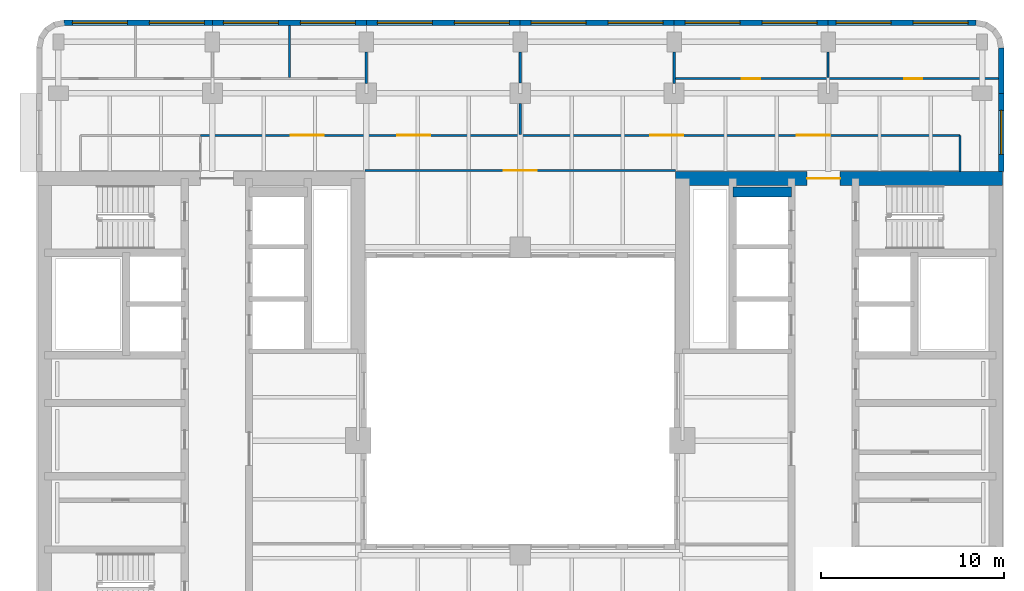
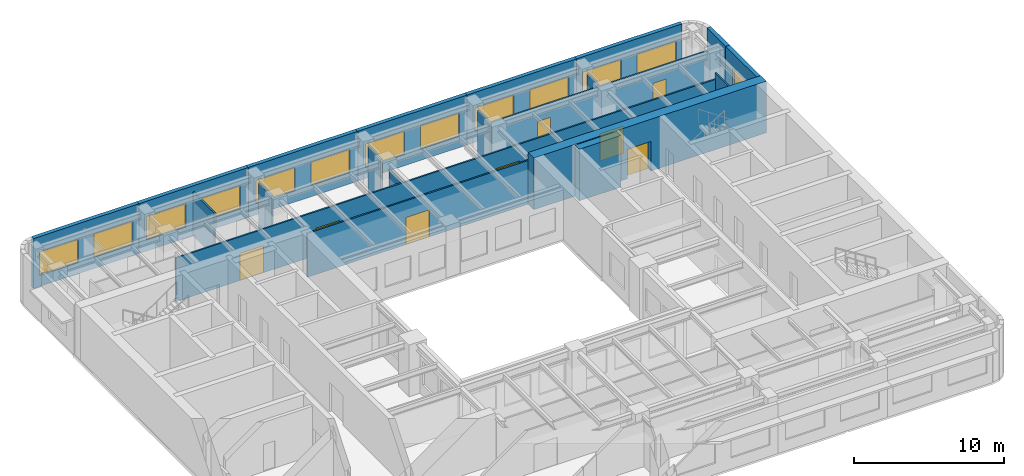
# One storey, part 7 of 11: 20 walls, 13 windows, 8 doors, 21 openings.
"""IFC4 building model written with IfcOpenShell, lengths in metres."""

from ifc_helpers import new_model, si_unit, direction, frame, frame_2d, origin, place, context, subcontext, project, spatial, rectangle, extrude, material, layer, layer_set, type_object, element, fill, save


model = new_model("IFC4")

# Units and contexts
model_context = context("Model", 3, precision=1e-05, world=origin(), true_north=direction((0.0, 1.0)))
body_context = subcontext(model_context, "Body", "Model", "MODEL_VIEW")
ifc_project = project(units=[si_unit("LENGTHUNIT", "METRE"), si_unit("AREAUNIT", "SQUARE_METRE"), si_unit("VOLUMEUNIT", "CUBIC_METRE"), si_unit("PLANEANGLEUNIT", "RADIAN"), si_unit("MASSUNIT", "GRAM", prefix="KILO")], contexts=[model_context])

# Site, building, storey
site_placement = place(None, origin())
site = spatial("IfcSite", under=ifc_project, at=site_placement, CompositionType="ELEMENT")
building_placement = place(site_placement, origin())
building = spatial("IfcBuilding", under=site, at=building_placement, Name="Claustro Exchange Tower", CompositionType="ELEMENT")
storey_placement = place(building_placement, frame((0.0, 0.0, 194.39990234375)))
storey = spatial("IfcBuildingStorey", under=building, at=storey_placement, Name="L44", CompositionType="ELEMENT", Elevation=194.39990234375)

# Walls
ifc_material_1 = material(Name="Laminated glass in aluminium frame", Category="aluminium")
ifc_layer_1 = layer(ifc_material_1, 0.1201171875)
ifc_layer_set_1 = layer_set([ifc_layer_1], Name="Laminated glass in aluminium frame")
wall_type_1 = type_object("IfcWallType", Name="P2 120 glazed partition", PredefinedType="PARTITIONING", material=ifc_layer_set_1)
wall_1_placement = place(storey_placement, frame((12.60009765625, 42.85791015625, 0.0), z_axis=(0.0, 0.0, 1.0), x_axis=(0.0, 1.0, 0.0)))
element("IfcWall", 1, at=wall_1_placement, inside=storey, type_object=wall_type_1, Name="Partition P2 L44", PredefinedType="PARTITIONING", context=body_context, shape_type="SweptSolid", body=[
    extrude(rectangle(XDim=2.843994140625, YDim=0.1201171875, at=frame_2d((1.421875, 0.0))), origin(), (0.0, 0.0, 1.0), 3.56005859375),
])
wall_2_placement = place(storey_placement, frame((16.800048828125, 42.548095703125, 0.0), z_axis=(0.0, 0.0, 1.0), x_axis=(0.0, 1.0, 0.0)))
element("IfcWall", 2, at=wall_2_placement, inside=storey, type_object=wall_type_1, Name="Partition P2 L44", PredefinedType="PARTITIONING", context=body_context, shape_type="SweptSolid", body=[
    extrude(rectangle(XDim=1.702880859375, YDim=0.1201171875, at=frame_2d((0.8515625, 0.0))), origin(), (0.0, 0.0, 1.0), 3.690185546875),
])

# Wall, openings, doors
wall_3_placement = place(storey_placement, frame((33.60009765625, 42.800048828125, 0.0), z_axis=(0.0, 0.0, 1.0), x_axis=(1.0, 0.0, 0.0)))
wall_3 = element("IfcWall", 3, at=wall_3_placement, inside=storey, type_object=wall_type_1, Name="Partition P2 L44", PredefinedType="PARTITIONING", context=body_context, shape_type="SweptSolid", body=[
    extrude(rectangle(XDim=17.701904296875, YDim=0.1201171875, at=frame_2d((8.85107421875, 0.0))), origin(), (0.0, 0.0, 1.0), 3.56005859375),
])
opening_1_placement = place(wall_3_placement, frame((3.699951171875, 0.0, 0.0)))
opening_1 = element("IfcOpeningElement", 4, at=opening_1_placement, cuts=wall_3, Name="Opening D7", PredefinedType="OPENING", context=body_context, shape_type="SweptSolid", body=[
    extrude(rectangle(XDim=1.0, YDim=2.39990234375, at=frame_2d((0.5, 1.199951171875))), frame((0.0, 0.070068359375, 0.0), z_axis=(0.0, -1.0, 0.0), x_axis=(1.0, 0.0, 0.0)), (0.0, 0.0, 1.0), 0.14013671875),
])
opening_2_placement = place(wall_3_placement, frame((12.550048828125, 0.0, 0.0)))
opening_2 = element("IfcOpeningElement", 5, at=opening_2_placement, cuts=wall_3, Name="Opening D7", PredefinedType="OPENING", context=body_context, shape_type="SweptSolid", body=[
    extrude(rectangle(XDim=1.0, YDim=2.39990234375, at=frame_2d((0.5, 1.199951171875))), frame((0.0, 0.070068359375, 0.0), z_axis=(0.0, -1.0, 0.0), x_axis=(1.0, 0.0, 0.0)), (0.0, 0.0, 1.0), 0.14013671875),
])
ifc_material_2 = material(Name="Glass door in aluminium frame", Category="aluminium")
door_type_1 = type_object("IfcDoorType", Name="D7 1000 x 2400 glazed door", OperationType="SINGLE_SWING_LEFT", PredefinedType="DOOR", material=ifc_material_2)
door_1_placement = place(opening_1_placement, origin())
door_1 = element("IfcDoor", 6, at=door_1_placement, inside=storey, type_object=door_type_1, Name="Door D7 L44", OperationType="SINGLE_SWING_RIGHT", OverallHeight=2.39990234375, OverallWidth=1.0, PredefinedType="DOOR", context=body_context, shape_type="SweptSolid", body=[
    extrude(rectangle(XDim=1.0, YDim=2.39990234375, at=frame_2d((0.5, 1.199951171875))), frame((0.0, 0.02490234375, 0.0), z_axis=(0.0, -1.0, 0.0), x_axis=(1.0, 0.0, 0.0)), (0.0, 0.0, 1.0), 0.050048828125),
])
fill(opening_1, door_1)
door_2_placement = place(opening_2_placement, origin())
door_2 = element("IfcDoor", 7, at=door_2_placement, inside=storey, type_object=door_type_1, Name="Door D7 L44", OperationType="SINGLE_SWING_LEFT", OverallHeight=2.39990234375, OverallWidth=1.0, PredefinedType="DOOR", context=body_context, shape_type="SweptSolid", body=[
    extrude(rectangle(XDim=1.0, YDim=2.39990234375, at=frame_2d((0.5, 1.199951171875))), frame((0.0, 0.02490234375, 0.0), z_axis=(0.0, -1.0, 0.0), x_axis=(1.0, 0.0, 0.0)), (0.0, 0.0, 1.0), 0.050048828125),
])
fill(opening_2, door_2)

# Walls
wall_4_placement = place(storey_placement, frame((33.60009765625, 42.548095703125, 0.0), z_axis=(0.0, 0.0, 1.0), x_axis=(0.0, 1.0, 0.0)))
element("IfcWall", 8, at=wall_4_placement, inside=storey, type_object=wall_type_1, Name="Partition P2 L44", PredefinedType="PARTITIONING", context=body_context, shape_type="SweptSolid", body=[
    extrude(rectangle(XDim=1.702880859375, YDim=0.1201171875, at=frame_2d((0.8515625, 0.0))), origin(), (0.0, 0.0, 1.0), 3.690185546875),
])
wall_5_placement = place(storey_placement, frame((42.0, 42.85791015625, 0.0), z_axis=(0.0, 0.0, 1.0), x_axis=(0.0, 1.0, 0.0)))
element("IfcWall", 9, at=wall_5_placement, inside=storey, type_object=wall_type_1, Name="Partition P2 L44", PredefinedType="PARTITIONING", context=body_context, shape_type="SweptSolid", body=[
    extrude(rectangle(XDim=1.39306640625, YDim=0.1201171875, at=frame_2d((0.696533203125, 0.0))), origin(), (0.0, 0.0, 1.0), 3.690185546875),
])
wall_6_placement = place(storey_placement, frame((25.199951171875, 39.758056640625, 0.0), z_axis=(0.0, 0.0, 1.0), x_axis=(0.0, 1.0, 0.0)))
element("IfcWall", 10, at=wall_6_placement, inside=storey, type_object=wall_type_1, Name="Partition P2 L44", PredefinedType="PARTITIONING", context=body_context, shape_type="SweptSolid", body=[
    extrude(rectangle(XDim=1.69287109375, YDim=0.1201171875, at=frame_2d((0.846435546875, 0.0))), origin(), (0.0, 0.0, 1.0), 3.550048828125),
])
wall_7_placement = place(storey_placement, frame((25.199951171875, 42.549072265625, 0.0), z_axis=(0.0, 0.0, 1.0), x_axis=(0.0, 1.0, 0.0)))
element("IfcWall", 11, at=wall_7_placement, inside=storey, type_object=wall_type_1, Name="Partition P2 L44", PredefinedType="PARTITIONING", context=body_context, shape_type="SweptSolid", body=[
    extrude(rectangle(XDim=1.701904296875, YDim=0.1201171875, at=frame_2d((0.85107421875, 0.0))), origin(), (0.0, 0.0, 1.0), 3.690185546875),
])

# Wall, openings, doors
wall_8_placement = place(storey_placement, frame((7.748046875, 39.699951171875, 0.0), z_axis=(0.0, 0.0, 1.0), x_axis=(1.0, 0.0, 0.0)))
wall_8 = element("IfcWall", 12, at=wall_8_placement, inside=storey, type_object=wall_type_1, Name="Partition P2 L44", PredefinedType="PARTITIONING", context=body_context, shape_type="SweptSolid", body=[
    extrude(rectangle(XDim=41.451904296875, YDim=0.1201171875, at=frame_2d((20.72607421875, 0.0))), origin(), (0.0, 0.0, 1.0), 3.550048828125),
])
opening_3_placement = place(wall_8_placement, frame((4.918701171875, 0.0, 0.0)))
opening_3 = element("IfcOpeningElement", 13, at=opening_3_placement, cuts=wall_8, Name="Opening D2", PredefinedType="OPENING", context=body_context, shape_type="SweptSolid", body=[
    extrude(rectangle(XDim=1.800048828125, YDim=2.199951171875, at=frame_2d((0.89990234375, 1.10009765625))), frame((0.0, 0.070068359375, 0.0), z_axis=(0.0, -1.0, 0.0), x_axis=(1.0, 0.0, 0.0)), (0.0, 0.0, 1.0), 0.14013671875),
])
opening_4_placement = place(wall_8_placement, frame((10.7353515625, 0.0, 0.0)))
opening_4 = element("IfcOpeningElement", 14, at=opening_4_placement, cuts=wall_8, Name="Opening D2", PredefinedType="OPENING", context=body_context, shape_type="SweptSolid", body=[
    extrude(rectangle(XDim=1.800048828125, YDim=2.199951171875, at=frame_2d((0.89990234375, 1.10009765625))), frame((0.0, 0.070068359375, 0.0), z_axis=(0.0, -1.0, 0.0), x_axis=(1.0, 0.0, 0.0)), (0.0, 0.0, 1.0), 0.14013671875),
])
opening_5_placement = place(wall_8_placement, frame((24.552001953125, 0.0, 0.0)))
opening_5 = element("IfcOpeningElement", 15, at=opening_5_placement, cuts=wall_8, Name="Opening D2", PredefinedType="OPENING", context=body_context, shape_type="SweptSolid", body=[
    extrude(rectangle(XDim=1.800048828125, YDim=2.199951171875, at=frame_2d((0.89990234375, 1.10009765625))), frame((0.0, 0.070068359375, 0.0), z_axis=(0.0, -1.0, 0.0), x_axis=(1.0, 0.0, 0.0)), (0.0, 0.0, 1.0), 0.14013671875),
])
opening_6_placement = place(wall_8_placement, frame((32.552001953125, 0.0, 0.0)))
opening_6 = element("IfcOpeningElement", 16, at=opening_6_placement, cuts=wall_8, Name="Opening D2", PredefinedType="OPENING", context=body_context, shape_type="SweptSolid", body=[
    extrude(rectangle(XDim=1.800048828125, YDim=2.199951171875, at=frame_2d((0.89990234375, 1.10009765625))), frame((0.0, 0.070068359375, 0.0), z_axis=(0.0, -1.0, 0.0), x_axis=(1.0, 0.0, 0.0)), (0.0, 0.0, 1.0), 0.14013671875),
])
ifc_material_3 = material(Name="Timber door, oak veneer", Category="wood")
door_type_2 = type_object("IfcDoorType", Name="D2 1800 x 2200 double door", OperationType="DOUBLE_DOOR_SINGLE_SWING", PredefinedType="DOOR", material=ifc_material_3)
door_3_placement = place(opening_3_placement, origin())
door_3 = element("IfcDoor", 17, at=door_3_placement, inside=storey, type_object=door_type_2, Name="Double door D2 L44", OperationType="DOUBLE_DOOR_SINGLE_SWING", OverallHeight=2.199951171875, OverallWidth=1.800048828125, PredefinedType="DOOR", context=body_context, shape_type="SweptSolid", body=[
    extrude(rectangle(XDim=1.800048828125, YDim=2.199951171875, at=frame_2d((0.89990234375, 1.10009765625))), frame((0.0, 0.02490234375, 0.0), z_axis=(0.0, -1.0, 0.0), x_axis=(1.0, 0.0, 0.0)), (0.0, 0.0, 1.0), 0.050048828125),
])
fill(opening_3, door_3)
door_4_placement = place(opening_4_placement, origin())
door_4 = element("IfcDoor", 18, at=door_4_placement, inside=storey, type_object=door_type_2, Name="Double door D2 L44", OperationType="DOUBLE_DOOR_SINGLE_SWING", OverallHeight=2.199951171875, OverallWidth=1.800048828125, PredefinedType="DOOR", context=body_context, shape_type="SweptSolid", body=[
    extrude(rectangle(XDim=1.800048828125, YDim=2.199951171875, at=frame_2d((0.89990234375, 1.10009765625))), frame((0.0, 0.02490234375, 0.0), z_axis=(0.0, -1.0, 0.0), x_axis=(1.0, 0.0, 0.0)), (0.0, 0.0, 1.0), 0.050048828125),
])
fill(opening_4, door_4)
door_5_placement = place(opening_5_placement, origin())
door_5 = element("IfcDoor", 19, at=door_5_placement, inside=storey, type_object=door_type_2, Name="Double door D2 L44", OperationType="DOUBLE_DOOR_SINGLE_SWING", OverallHeight=2.199951171875, OverallWidth=1.800048828125, PredefinedType="DOOR", context=body_context, shape_type="SweptSolid", body=[
    extrude(rectangle(XDim=1.800048828125, YDim=2.199951171875, at=frame_2d((0.89990234375, 1.10009765625))), frame((0.0, 0.02490234375, 0.0), z_axis=(0.0, -1.0, 0.0), x_axis=(1.0, 0.0, 0.0)), (0.0, 0.0, 1.0), 0.050048828125),
])
fill(opening_5, door_5)
door_6_placement = place(opening_6_placement, origin())
door_6 = element("IfcDoor", 20, at=door_6_placement, inside=storey, type_object=door_type_2, Name="Double door D2 L44", OperationType="DOUBLE_DOOR_SINGLE_SWING", OverallHeight=2.199951171875, OverallWidth=1.800048828125, PredefinedType="DOOR", context=body_context, shape_type="SweptSolid", body=[
    extrude(rectangle(XDim=1.800048828125, YDim=2.199951171875, at=frame_2d((0.89990234375, 1.10009765625))), frame((0.0, 0.02490234375, 0.0), z_axis=(0.0, -1.0, 0.0), x_axis=(1.0, 0.0, 0.0)), (0.0, 0.0, 1.0), 0.050048828125),
])
fill(opening_6, door_6)

# Wall
wall_9_placement = place(storey_placement, frame((49.199951171875, 37.72412109375, 0.0), z_axis=(0.0, 0.0, 1.0), x_axis=(0.0, 1.0, 0.0)))
element("IfcWall", 21, at=wall_9_placement, inside=storey, type_object=wall_type_1, Name="Partition P2 L44", PredefinedType="PARTITIONING", context=body_context, shape_type="SweptSolid", body=[
    extrude(rectangle(XDim=1.975830078125, YDim=0.1201171875, at=frame_2d((0.98779296875, 0.0))), origin(), (0.0, 0.0, 1.0), 4.050048828125),
])

# Wall, opening, door
wall_10_placement = place(storey_placement, frame((16.72509765625, 37.784912109375, 0.0), z_axis=(0.0, 0.0, 1.0), x_axis=(1.0, 0.0, 0.0)))
wall_10 = element("IfcWall", 22, at=wall_10_placement, inside=storey, type_object=wall_type_1, Name="Partition P2 L44", PredefinedType="PARTITIONING", context=body_context, shape_type="SweptSolid", body=[
    extrude(rectangle(XDim=16.949951171875, YDim=0.1201171875, at=frame_2d((8.47509765625, 0.0))), origin(), (0.0, 0.0, 1.0), 3.550048828125),
])
opening_7_placement = place(wall_10_placement, frame((7.574951171875, 0.0, 0.0)))
opening_7 = element("IfcOpeningElement", 23, at=opening_7_placement, cuts=wall_10, Name="Opening D2", PredefinedType="OPENING", context=body_context, shape_type="SweptSolid", body=[
    extrude(rectangle(XDim=1.800048828125, YDim=2.199951171875, at=frame_2d((0.89990234375, 1.10009765625))), frame((0.0, 0.070068359375, 0.0), z_axis=(0.0, -1.0, 0.0), x_axis=(1.0, 0.0, 0.0)), (0.0, 0.0, 1.0), 0.14013671875),
])
door_7_placement = place(opening_7_placement, frame((1.800048828125, 0.0, 0.0), z_axis=(0.0, 0.0, 1.0), x_axis=(-1.0, 0.0, 0.0)))
door_7 = element("IfcDoor", 24, at=door_7_placement, inside=storey, type_object=door_type_2, Name="Double door D2 L44", OperationType="DOUBLE_DOOR_SINGLE_SWING", OverallHeight=2.199951171875, OverallWidth=1.800048828125, PredefinedType="DOOR", context=body_context, shape_type="SweptSolid", body=[
    extrude(rectangle(XDim=1.800048828125, YDim=2.199951171875, at=frame_2d((0.89990234375, 1.10009765625))), frame((0.0, 0.02490234375, 0.0), z_axis=(0.0, -1.0, 0.0), x_axis=(1.0, 0.0, 0.0)), (0.0, 0.0, 1.0), 0.050048828125),
])
fill(opening_7, door_7)

# Wall, openings, windows
ifc_material_4 = material(Name="Concrete HA-40 (C40/50), precast, white cement, acid-etched", Category="concrete")
ifc_layer_2 = layer(ifc_material_4, 0.300048828125)
ifc_layer_set_2 = layer_set([ifc_layer_2], Name="Concrete HA-40 (C40/50), precast, white cement, acid-etched")
wall_type_2 = type_object("IfcWallType", Name="PC1 300 precast concrete pier panel", PredefinedType="SOLIDWALL", material=ifc_layer_set_2)
wall_11_placement = place(storey_placement, frame((0.314697265625, 45.85009765625, 0.0), z_axis=(0.0, 0.0, 1.0), x_axis=(1.0, 0.0, 0.0)))
wall_11 = element("IfcWall", 25, at=wall_11_placement, inside=storey, type_object=wall_type_2, Name="Precast pier panel PC1 L44", PredefinedType="SOLIDWALL", context=body_context, shape_type="SweptSolid", body=[
    extrude(rectangle(XDim=8.085205078125, YDim=0.300048828125, at=frame_2d((4.04248046875, 0.0))), origin(), (0.0, 0.0, 1.0), 4.050048828125),
])
opening_8_placement = place(wall_11_placement, frame((0.442626953125, 0.0, 0.89990234375)))
opening_8 = element("IfcOpeningElement", 26, at=opening_8_placement, cuts=wall_11, Name="Opening W1", PredefinedType="OPENING", context=body_context, shape_type="SweptSolid", body=[
    extrude(rectangle(XDim=3.0, YDim=1.89990234375, at=frame_2d((1.5, 0.949951171875))), frame((0.0, 0.159912109375, 0.0), z_axis=(0.0, -1.0, 0.0), x_axis=(1.0, 0.0, 0.0)), (0.0, 0.0, 1.0), 0.320068359375),
])
opening_9_placement = place(wall_11_placement, frame((4.642578125, 0.0, 0.89990234375)))
opening_9 = element("IfcOpeningElement", 27, at=opening_9_placement, cuts=wall_11, Name="Opening W1", PredefinedType="OPENING", context=body_context, shape_type="SweptSolid", body=[
    extrude(rectangle(XDim=3.0, YDim=1.89990234375, at=frame_2d((1.5, 0.949951171875))), frame((0.0, 0.159912109375, 0.0), z_axis=(0.0, -1.0, 0.0), x_axis=(1.0, 0.0, 0.0)), (0.0, 0.0, 1.0), 0.320068359375),
])
ifc_material_5 = material(Name="Aluminium frame, clear double glazing", Category="aluminium")
window_type_1 = type_object("IfcWindowType", Name="W1 3000 x 1900 window", PartitioningType="SINGLE_PANEL", PredefinedType="WINDOW", material=ifc_material_5)
window_1_placement = place(opening_8_placement, origin())
window_1 = element("IfcWindow", 28, at=window_1_placement, inside=storey, type_object=window_type_1, Name="Window W1 L44", OverallHeight=1.89990234375, OverallWidth=3.0, PartitioningType="SINGLE_PANEL", PredefinedType="WINDOW", context=body_context, shape_type="SweptSolid", body=[
    extrude(rectangle(XDim=3.0, YDim=1.89990234375, at=frame_2d((1.5, 0.949951171875))), frame((0.0, 0.030029296875, 0.0), z_axis=(0.0, -1.0, 0.0), x_axis=(1.0, 0.0, 0.0)), (0.0, 0.0, 1.0), 0.06005859375),
])
fill(opening_8, window_1)
window_2_placement = place(opening_9_placement, origin())
window_2 = element("IfcWindow", 29, at=window_2_placement, inside=storey, type_object=window_type_1, Name="Window W1 L44", OverallHeight=1.89990234375, OverallWidth=3.0, PartitioningType="SINGLE_PANEL", PredefinedType="WINDOW", context=body_context, shape_type="SweptSolid", body=[
    extrude(rectangle(XDim=3.0, YDim=1.89990234375, at=frame_2d((1.5, 0.949951171875))), frame((0.0, 0.030029296875, 0.0), z_axis=(0.0, -1.0, 0.0), x_axis=(1.0, 0.0, 0.0)), (0.0, 0.0, 1.0), 0.06005859375),
])
fill(opening_9, window_2)

wall_12_placement = place(storey_placement, frame((8.39990234375, 45.85009765625, 0.0), z_axis=(0.0, 0.0, 1.0), x_axis=(1.0, 0.0, 0.0)))
wall_12 = element("IfcWall", 30, at=wall_12_placement, inside=storey, type_object=wall_type_2, Name="Precast pier panel PC1 L44", PredefinedType="SOLIDWALL", context=body_context, shape_type="SweptSolid", body=[
    extrude(rectangle(XDim=8.400146484375, YDim=0.300048828125, at=frame_2d((4.2001953125, 0.0))), origin(), (0.0, 0.0, 1.0), 4.050048828125),
])
opening_10_placement = place(wall_12_placement, frame((0.60009765625, 0.0, 0.89990234375)))
opening_10 = element("IfcOpeningElement", 31, at=opening_10_placement, cuts=wall_12, Name="Opening W1", PredefinedType="OPENING", context=body_context, shape_type="SweptSolid", body=[
    extrude(rectangle(XDim=3.0, YDim=1.89990234375, at=frame_2d((1.5, 0.949951171875))), frame((0.0, 0.159912109375, 0.0), z_axis=(0.0, -1.0, 0.0), x_axis=(1.0, 0.0, 0.0)), (0.0, 0.0, 1.0), 0.320068359375),
])
opening_11_placement = place(wall_12_placement, frame((4.800048828125, 0.0, 0.89990234375)))
opening_11 = element("IfcOpeningElement", 32, at=opening_11_placement, cuts=wall_12, Name="Opening W1", PredefinedType="OPENING", context=body_context, shape_type="SweptSolid", body=[
    extrude(rectangle(XDim=3.0, YDim=1.89990234375, at=frame_2d((1.5, 0.949951171875))), frame((0.0, 0.159912109375, 0.0), z_axis=(0.0, -1.0, 0.0), x_axis=(1.0, 0.0, 0.0)), (0.0, 0.0, 1.0), 0.320068359375),
])
window_3_placement = place(opening_10_placement, origin())
window_3 = element("IfcWindow", 33, at=window_3_placement, inside=storey, type_object=window_type_1, Name="Window W1 L44", OverallHeight=1.89990234375, OverallWidth=3.0, PartitioningType="SINGLE_PANEL", PredefinedType="WINDOW", context=body_context, shape_type="SweptSolid", body=[
    extrude(rectangle(XDim=3.0, YDim=1.89990234375, at=frame_2d((1.5, 0.949951171875))), frame((0.0, 0.030029296875, 0.0), z_axis=(0.0, -1.0, 0.0), x_axis=(1.0, 0.0, 0.0)), (0.0, 0.0, 1.0), 0.06005859375),
])
fill(opening_10, window_3)
window_4_placement = place(opening_11_placement, origin())
window_4 = element("IfcWindow", 34, at=window_4_placement, inside=storey, type_object=window_type_1, Name="Window W1 L44", OverallHeight=1.89990234375, OverallWidth=3.0, PartitioningType="SINGLE_PANEL", PredefinedType="WINDOW", context=body_context, shape_type="SweptSolid", body=[
    extrude(rectangle(XDim=3.0, YDim=1.89990234375, at=frame_2d((1.5, 0.949951171875))), frame((0.0, 0.030029296875, 0.0), z_axis=(0.0, -1.0, 0.0), x_axis=(1.0, 0.0, 0.0)), (0.0, 0.0, 1.0), 0.06005859375),
])
fill(opening_11, window_4)

wall_13_placement = place(storey_placement, frame((16.800048828125, 45.85009765625, 0.0), z_axis=(0.0, 0.0, 1.0), x_axis=(1.0, 0.0, 0.0)))
wall_13 = element("IfcWall", 35, at=wall_13_placement, inside=storey, type_object=wall_type_2, Name="Precast pier panel PC1 L44", PredefinedType="SOLIDWALL", context=body_context, shape_type="SweptSolid", body=[
    extrude(rectangle(XDim=8.39990234375, YDim=0.300048828125, at=frame_2d((4.199951171875, 0.0))), origin(), (0.0, 0.0, 1.0), 4.050048828125),
])
opening_12_placement = place(wall_13_placement, frame((0.60009765625, 0.0, 0.89990234375)))
opening_12 = element("IfcOpeningElement", 36, at=opening_12_placement, cuts=wall_13, Name="Opening W1", PredefinedType="OPENING", context=body_context, shape_type="SweptSolid", body=[
    extrude(rectangle(XDim=3.0, YDim=1.89990234375, at=frame_2d((1.5, 0.949951171875))), frame((0.0, 0.159912109375, 0.0), z_axis=(0.0, -1.0, 0.0), x_axis=(1.0, 0.0, 0.0)), (0.0, 0.0, 1.0), 0.320068359375),
])
opening_13_placement = place(wall_13_placement, frame((4.800048828125, 0.0, 0.89990234375)))
opening_13 = element("IfcOpeningElement", 37, at=opening_13_placement, cuts=wall_13, Name="Opening W1", PredefinedType="OPENING", context=body_context, shape_type="SweptSolid", body=[
    extrude(rectangle(XDim=3.0, YDim=1.89990234375, at=frame_2d((1.5, 0.949951171875))), frame((0.0, 0.159912109375, 0.0), z_axis=(0.0, -1.0, 0.0), x_axis=(1.0, 0.0, 0.0)), (0.0, 0.0, 1.0), 0.320068359375),
])
window_5_placement = place(opening_12_placement, origin())
window_5 = element("IfcWindow", 38, at=window_5_placement, inside=storey, type_object=window_type_1, Name="Window W1 L44", OverallHeight=1.89990234375, OverallWidth=3.0, PartitioningType="SINGLE_PANEL", PredefinedType="WINDOW", context=body_context, shape_type="SweptSolid", body=[
    extrude(rectangle(XDim=3.0, YDim=1.89990234375, at=frame_2d((1.5, 0.949951171875))), frame((0.0, 0.030029296875, 0.0), z_axis=(0.0, -1.0, 0.0), x_axis=(1.0, 0.0, 0.0)), (0.0, 0.0, 1.0), 0.06005859375),
])
fill(opening_12, window_5)
window_6_placement = place(opening_13_placement, origin())
window_6 = element("IfcWindow", 39, at=window_6_placement, inside=storey, type_object=window_type_1, Name="Window W1 L44", OverallHeight=1.89990234375, OverallWidth=3.0, PartitioningType="SINGLE_PANEL", PredefinedType="WINDOW", context=body_context, shape_type="SweptSolid", body=[
    extrude(rectangle(XDim=3.0, YDim=1.89990234375, at=frame_2d((1.5, 0.949951171875))), frame((0.0, 0.030029296875, 0.0), z_axis=(0.0, -1.0, 0.0), x_axis=(1.0, 0.0, 0.0)), (0.0, 0.0, 1.0), 0.06005859375),
])
fill(opening_13, window_6)

wall_14_placement = place(storey_placement, frame((25.199951171875, 45.85009765625, 0.0), z_axis=(0.0, 0.0, 1.0), x_axis=(1.0, 0.0, 0.0)))
wall_14 = element("IfcWall", 40, at=wall_14_placement, inside=storey, type_object=wall_type_2, Name="Precast pier panel PC1 L44", PredefinedType="SOLIDWALL", context=body_context, shape_type="SweptSolid", body=[
    extrude(rectangle(XDim=8.400146484375, YDim=0.300048828125, at=frame_2d((4.2001953125, 0.0))), origin(), (0.0, 0.0, 1.0), 4.050048828125),
])
opening_14_placement = place(wall_14_placement, frame((0.60009765625, 0.0, 0.89990234375)))
opening_14 = element("IfcOpeningElement", 41, at=opening_14_placement, cuts=wall_14, Name="Opening W1", PredefinedType="OPENING", context=body_context, shape_type="SweptSolid", body=[
    extrude(rectangle(XDim=3.0, YDim=1.89990234375, at=frame_2d((1.5, 0.949951171875))), frame((0.0, 0.159912109375, 0.0), z_axis=(0.0, -1.0, 0.0), x_axis=(1.0, 0.0, 0.0)), (0.0, 0.0, 1.0), 0.320068359375),
])
opening_15_placement = place(wall_14_placement, frame((4.800048828125, 0.0, 0.89990234375)))
opening_15 = element("IfcOpeningElement", 42, at=opening_15_placement, cuts=wall_14, Name="Opening W1", PredefinedType="OPENING", context=body_context, shape_type="SweptSolid", body=[
    extrude(rectangle(XDim=3.0, YDim=1.89990234375, at=frame_2d((1.5, 0.949951171875))), frame((0.0, 0.159912109375, 0.0), z_axis=(0.0, -1.0, 0.0), x_axis=(1.0, 0.0, 0.0)), (0.0, 0.0, 1.0), 0.320068359375),
])
window_7_placement = place(opening_14_placement, origin())
window_7 = element("IfcWindow", 43, at=window_7_placement, inside=storey, type_object=window_type_1, Name="Window W1 L44", OverallHeight=1.89990234375, OverallWidth=3.0, PartitioningType="SINGLE_PANEL", PredefinedType="WINDOW", context=body_context, shape_type="SweptSolid", body=[
    extrude(rectangle(XDim=3.0, YDim=1.89990234375, at=frame_2d((1.5, 0.949951171875))), frame((0.0, 0.030029296875, 0.0), z_axis=(0.0, -1.0, 0.0), x_axis=(1.0, 0.0, 0.0)), (0.0, 0.0, 1.0), 0.06005859375),
])
fill(opening_14, window_7)
window_8_placement = place(opening_15_placement, origin())
window_8 = element("IfcWindow", 44, at=window_8_placement, inside=storey, type_object=window_type_1, Name="Window W1 L44", OverallHeight=1.89990234375, OverallWidth=3.0, PartitioningType="SINGLE_PANEL", PredefinedType="WINDOW", context=body_context, shape_type="SweptSolid", body=[
    extrude(rectangle(XDim=3.0, YDim=1.89990234375, at=frame_2d((1.5, 0.949951171875))), frame((0.0, 0.030029296875, 0.0), z_axis=(0.0, -1.0, 0.0), x_axis=(1.0, 0.0, 0.0)), (0.0, 0.0, 1.0), 0.06005859375),
])
fill(opening_15, window_8)

wall_15_placement = place(storey_placement, frame((33.60009765625, 45.85009765625, 0.0), z_axis=(0.0, 0.0, 1.0), x_axis=(1.0, 0.0, 0.0)))
wall_15 = element("IfcWall", 45, at=wall_15_placement, inside=storey, type_object=wall_type_2, Name="Precast pier panel PC1 L44", PredefinedType="SOLIDWALL", context=body_context, shape_type="SweptSolid", body=[
    extrude(rectangle(XDim=8.39990234375, YDim=0.300048828125, at=frame_2d((4.199951171875, 0.0))), origin(), (0.0, 0.0, 1.0), 4.050048828125),
])
opening_16_placement = place(wall_15_placement, frame((0.60009765625, 0.0, 0.89990234375)))
opening_16 = element("IfcOpeningElement", 46, at=opening_16_placement, cuts=wall_15, Name="Opening W1", PredefinedType="OPENING", context=body_context, shape_type="SweptSolid", body=[
    extrude(rectangle(XDim=3.0, YDim=1.89990234375, at=frame_2d((1.5, 0.949951171875))), frame((0.0, 0.159912109375, 0.0), z_axis=(0.0, -1.0, 0.0), x_axis=(1.0, 0.0, 0.0)), (0.0, 0.0, 1.0), 0.320068359375),
])
opening_17_placement = place(wall_15_placement, frame((4.800048828125, 0.0, 0.89990234375)))
opening_17 = element("IfcOpeningElement", 47, at=opening_17_placement, cuts=wall_15, Name="Opening W1", PredefinedType="OPENING", context=body_context, shape_type="SweptSolid", body=[
    extrude(rectangle(XDim=3.0, YDim=1.89990234375, at=frame_2d((1.5, 0.949951171875))), frame((0.0, 0.159912109375, 0.0), z_axis=(0.0, -1.0, 0.0), x_axis=(1.0, 0.0, 0.0)), (0.0, 0.0, 1.0), 0.320068359375),
])
window_9_placement = place(opening_16_placement, origin())
window_9 = element("IfcWindow", 48, at=window_9_placement, inside=storey, type_object=window_type_1, Name="Window W1 L44", OverallHeight=1.89990234375, OverallWidth=3.0, PartitioningType="SINGLE_PANEL", PredefinedType="WINDOW", context=body_context, shape_type="SweptSolid", body=[
    extrude(rectangle(XDim=3.0, YDim=1.89990234375, at=frame_2d((1.5, 0.949951171875))), frame((0.0, 0.030029296875, 0.0), z_axis=(0.0, -1.0, 0.0), x_axis=(1.0, 0.0, 0.0)), (0.0, 0.0, 1.0), 0.06005859375),
])
fill(opening_16, window_9)
window_10_placement = place(opening_17_placement, origin())
window_10 = element("IfcWindow", 49, at=window_10_placement, inside=storey, type_object=window_type_1, Name="Window W1 L44", OverallHeight=1.89990234375, OverallWidth=3.0, PartitioningType="SINGLE_PANEL", PredefinedType="WINDOW", context=body_context, shape_type="SweptSolid", body=[
    extrude(rectangle(XDim=3.0, YDim=1.89990234375, at=frame_2d((1.5, 0.949951171875))), frame((0.0, 0.030029296875, 0.0), z_axis=(0.0, -1.0, 0.0), x_axis=(1.0, 0.0, 0.0)), (0.0, 0.0, 1.0), 0.06005859375),
])
fill(opening_17, window_10)

wall_16_placement = place(storey_placement, frame((42.0, 45.85009765625, 0.0), z_axis=(0.0, 0.0, 1.0), x_axis=(1.0, 0.0, 0.0)))
wall_16 = element("IfcWall", 50, at=wall_16_placement, inside=storey, type_object=wall_type_2, Name="Precast pier panel PC1 L44", PredefinedType="SOLIDWALL", context=body_context, shape_type="SweptSolid", body=[
    extrude(rectangle(XDim=8.085205078125, YDim=0.300048828125, at=frame_2d((4.04248046875, 0.0))), origin(), (0.0, 0.0, 1.0), 4.050048828125),
])
opening_18_placement = place(wall_16_placement, frame((0.442626953125, 0.0, 0.89990234375)))
opening_18 = element("IfcOpeningElement", 51, at=opening_18_placement, cuts=wall_16, Name="Opening W1", PredefinedType="OPENING", context=body_context, shape_type="SweptSolid", body=[
    extrude(rectangle(XDim=3.0, YDim=1.89990234375, at=frame_2d((1.5, 0.949951171875))), frame((0.0, 0.159912109375, 0.0), z_axis=(0.0, -1.0, 0.0), x_axis=(1.0, 0.0, 0.0)), (0.0, 0.0, 1.0), 0.320068359375),
])
opening_19_placement = place(wall_16_placement, frame((4.642578125, 0.0, 0.89990234375)))
opening_19 = element("IfcOpeningElement", 52, at=opening_19_placement, cuts=wall_16, Name="Opening W1", PredefinedType="OPENING", context=body_context, shape_type="SweptSolid", body=[
    extrude(rectangle(XDim=3.0, YDim=1.89990234375, at=frame_2d((1.5, 0.949951171875))), frame((0.0, 0.159912109375, 0.0), z_axis=(0.0, -1.0, 0.0), x_axis=(1.0, 0.0, 0.0)), (0.0, 0.0, 1.0), 0.320068359375),
])
window_11_placement = place(opening_18_placement, origin())
window_11 = element("IfcWindow", 53, at=window_11_placement, inside=storey, type_object=window_type_1, Name="Window W1 L44", OverallHeight=1.89990234375, OverallWidth=3.0, PartitioningType="SINGLE_PANEL", PredefinedType="WINDOW", context=body_context, shape_type="SweptSolid", body=[
    extrude(rectangle(XDim=3.0, YDim=1.89990234375, at=frame_2d((1.5, 0.949951171875))), frame((0.0, 0.030029296875, 0.0), z_axis=(0.0, -1.0, 0.0), x_axis=(1.0, 0.0, 0.0)), (0.0, 0.0, 1.0), 0.06005859375),
])
fill(opening_18, window_11)
window_12_placement = place(opening_19_placement, origin())
window_12 = element("IfcWindow", 54, at=window_12_placement, inside=storey, type_object=window_type_1, Name="Window W1 L44", OverallHeight=1.89990234375, OverallWidth=3.0, PartitioningType="SINGLE_PANEL", PredefinedType="WINDOW", context=body_context, shape_type="SweptSolid", body=[
    extrude(rectangle(XDim=3.0, YDim=1.89990234375, at=frame_2d((1.5, 0.949951171875))), frame((0.0, 0.030029296875, 0.0), z_axis=(0.0, -1.0, 0.0), x_axis=(1.0, 0.0, 0.0)), (0.0, 0.0, 1.0), 0.06005859375),
])
fill(opening_19, window_12)

# Wall
wall_17_placement = place(storey_placement, frame((51.449951171875, 44.485107421875, 0.0), z_axis=(0.0, 0.0, 1.0), x_axis=(0.0, -1.0, 0.0)))
element("IfcWall", 55, at=wall_17_placement, inside=storey, type_object=wall_type_2, Name="Precast pier panel PC1 L44", PredefinedType="SOLIDWALL", context=body_context, shape_type="SweptSolid", body=[
    extrude(rectangle(XDim=2.485107421875, YDim=0.300048828125, at=frame_2d((1.24267578125, 0.0))), origin(), (0.0, 0.0, 1.0), 4.050048828125),
])

# Wall, opening, window
wall_18_placement = place(storey_placement, frame((51.449951171875, 42.0, 0.0), z_axis=(0.0, 0.0, 1.0), x_axis=(0.0, -1.0, 0.0)))
wall_18 = element("IfcWall", 56, at=wall_18_placement, inside=storey, type_object=wall_type_2, Name="Precast pier panel PC1 L44", PredefinedType="SOLIDWALL", context=body_context, shape_type="SweptSolid", body=[
    extrude(rectangle(XDim=4.27490234375, YDim=0.300048828125, at=frame_2d((2.137451171875, 0.0))), origin(), (0.0, 0.0, 1.0), 4.050048828125),
])
opening_20_placement = place(wall_18_placement, frame((0.9375, 0.0, 0.89990234375)))
opening_20 = element("IfcOpeningElement", 57, at=opening_20_placement, cuts=wall_18, Name="Opening W2", PredefinedType="OPENING", context=body_context, shape_type="SweptSolid", body=[
    extrude(rectangle(XDim=2.39990234375, YDim=1.89990234375, at=frame_2d((1.199951171875, 0.949951171875))), frame((0.0, 0.159912109375, 0.0), z_axis=(0.0, -1.0, 0.0), x_axis=(1.0, 0.0, 0.0)), (0.0, 0.0, 1.0), 0.320068359375),
])
ifc_material_6 = material(Name="Aluminium frame, clear double glazing", Category="aluminium")
window_type_2 = type_object("IfcWindowType", Name="W2 2400 x 1900 window", PartitioningType="SINGLE_PANEL", PredefinedType="WINDOW", material=ifc_material_6)
window_13_placement = place(opening_20_placement, origin())
window_13 = element("IfcWindow", 58, at=window_13_placement, inside=storey, type_object=window_type_2, Name="Window W2 L44", OverallHeight=1.89990234375, OverallWidth=2.39990234375, PartitioningType="SINGLE_PANEL", PredefinedType="WINDOW", context=body_context, shape_type="SweptSolid", body=[
    extrude(rectangle(XDim=2.39990234375, YDim=1.89990234375, at=frame_2d((1.199951171875, 0.949951171875))), frame((0.0, 0.030029296875, 0.0), z_axis=(0.0, -1.0, 0.0), x_axis=(1.0, 0.0, 0.0)), (0.0, 0.0, 1.0), 0.06005859375),
])
fill(opening_20, window_13)

# Wall, opening, door
ifc_material_7 = material(Name="Concrete HA-70 (C70/85)", Category="concrete")
ifc_layer_3 = layer(ifc_material_7, 0.75)
ifc_layer_set_3 = layer_set([ifc_layer_3], Name="Concrete HA-70 (C70/85)")
wall_type_3 = type_object("IfcWallType", Name="SW2 750 core shear wall", PredefinedType="SHEAR", material=ifc_layer_set_3)
wall_19_placement = place(storey_placement, frame((33.675048828125, 37.35009765625, 0.0), z_axis=(0.0, 0.0, 1.0), x_axis=(1.0, 0.0, 0.0)))
wall_19 = element("IfcWall", 59, at=wall_19_placement, inside=storey, type_object=wall_type_3, Name="Core wall SW2 E core N face L44", PredefinedType="SHEAR", context=body_context, shape_type="SweptSolid", body=[
    extrude(rectangle(XDim=17.849853515625, YDim=0.75, at=frame_2d((8.9248046875, 0.0))), origin(), (0.0, 0.0, 1.0), 4.2001953125),
])
opening_21_placement = place(wall_19_placement, frame((7.175048828125, 0.0, 0.0)))
opening_21 = element("IfcOpeningElement", 60, at=opening_21_placement, cuts=wall_19, Name="Opening D3", PredefinedType="OPENING", context=body_context, shape_type="SweptSolid", body=[
    extrude(rectangle(XDim=1.800048828125, YDim=2.39990234375, at=frame_2d((0.89990234375, 1.199951171875))), frame((0.0, 0.385009765625, 0.0), z_axis=(0.0, -1.0, 0.0), x_axis=(1.0, 0.0, 0.0)), (0.0, 0.0, 1.0), 0.77001953125),
])
ifc_material_8 = material(Name="Steel fire door, painted", Category="steel")
door_type_3 = type_object("IfcDoorType", Name="D3 1800 x 2400 fire-rated lobby double door", OperationType="DOUBLE_DOOR_SINGLE_SWING", PredefinedType="DOOR", material=ifc_material_8)
door_8_placement = place(opening_21_placement, frame((1.800048828125, 0.0, 0.0), z_axis=(0.0, 0.0, 1.0), x_axis=(-1.0, 0.0, 0.0)))
door_8 = element("IfcDoor", 61, at=door_8_placement, inside=storey, type_object=door_type_3, Name="Lift lobby door D3 L44", OperationType="DOUBLE_DOOR_SINGLE_SWING", OverallHeight=2.39990234375, OverallWidth=1.800048828125, PredefinedType="DOOR", context=body_context, shape_type="SweptSolid", body=[
    extrude(rectangle(XDim=1.800048828125, YDim=2.39990234375, at=frame_2d((0.89990234375, 1.199951171875))), frame((0.0, 0.02490234375, 0.0), z_axis=(0.0, -1.0, 0.0), x_axis=(1.0, 0.0, 0.0)), (0.0, 0.0, 1.0), 0.050048828125),
])
fill(opening_21, door_8)

# Wall
ifc_material_9 = material(Name="Concrete HA-50 (C50/60)", Category="concrete")
ifc_layer_4 = layer(ifc_material_9, 0.550048828125)
ifc_layer_set_4 = layer_set([ifc_layer_4], Name="Concrete HA-50 (C50/60)")
wall_type_4 = type_object("IfcWallType", Name="SW6 550 lift shaft end wall", PredefinedType="SHEAR", material=ifc_layer_set_4)
wall_20_placement = place(storey_placement, frame((40.0, 36.625, 0.0), z_axis=(0.0, 0.0, 1.0), x_axis=(-1.0, 0.0, 0.0)))
element("IfcWall", 62, at=wall_20_placement, inside=storey, type_object=wall_type_4, Name="Lift shaft wall E core L44", PredefinedType="SHEAR", context=body_context, shape_type="SweptSolid", body=[
    extrude(rectangle(XDim=3.199951171875, YDim=0.550048828125, at=frame_2d((1.60009765625, 0.0))), origin(), (0.0, 0.0, 1.0), 4.2001953125),
])

save(model, "model.ifc")
